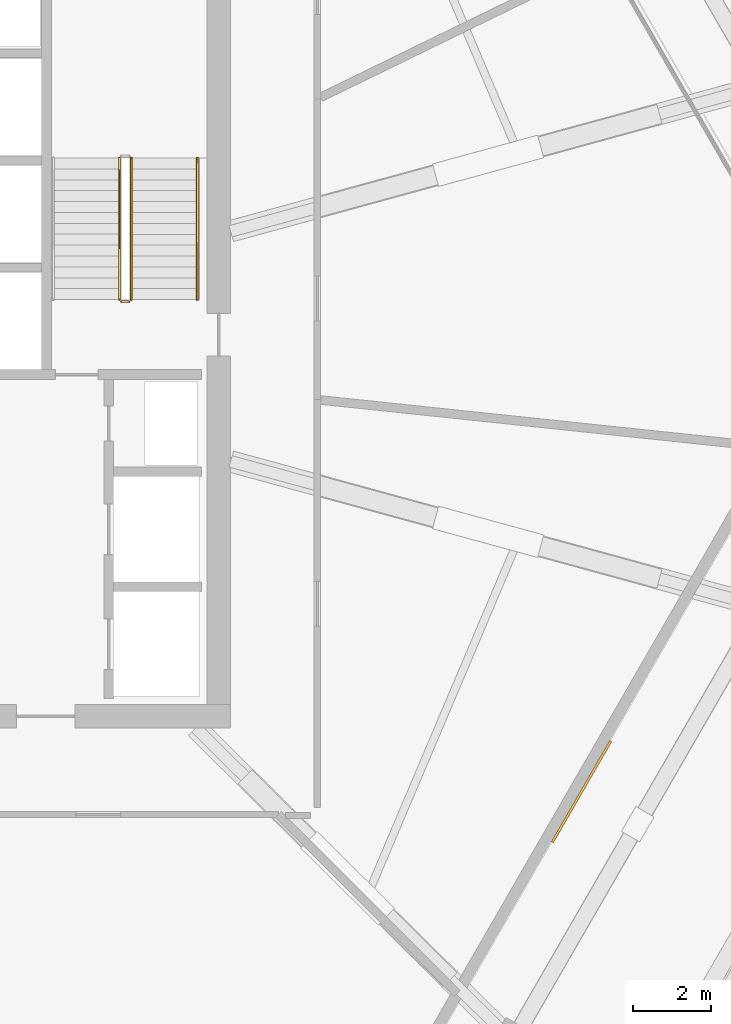
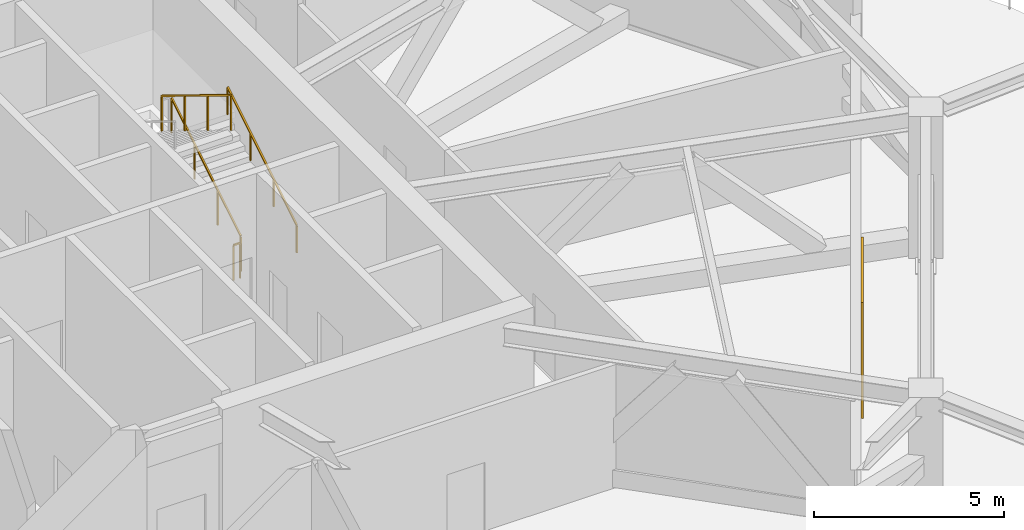
# One storey, part 18 of 20: 4 railings, 1 shading device.
"""IFC4 building model written with IfcOpenShell, lengths in metres."""

from ifc_helpers import new_model, si_unit, direction, frame, origin, origin_2d, place, context, subcontext, project, spatial, rectangle, extrude, material, layer, layer_set, type_object, element, save


model = new_model("IFC4")

# Units and contexts
model_context = context("Model", 3, precision=1e-05, world=origin(), true_north=direction((0.0, 1.0)))
body_context = subcontext(model_context, "Body", "Model", "MODEL_VIEW")
ifc_project = project(units=[si_unit("LENGTHUNIT", "METRE"), si_unit("AREAUNIT", "SQUARE_METRE"), si_unit("VOLUMEUNIT", "CUBIC_METRE"), si_unit("PLANEANGLEUNIT", "RADIAN"), si_unit("MASSUNIT", "GRAM", prefix="KILO")], contexts=[model_context])

# Site, building, storey
site_placement = place(None, origin())
site = spatial("IfcSite", under=ifc_project, at=site_placement, CompositionType="ELEMENT")
building_placement = place(site_placement, origin())
building = spatial("IfcBuilding", under=site, at=building_placement, Name="Zuhravey Tower", CompositionType="ELEMENT")
storey_placement = place(building_placement, frame((0.0, 0.0, 226.39990234375)))
storey = spatial("IfcBuildingStorey", under=building, at=storey_placement, Name="L57", CompositionType="ELEMENT", Elevation=226.39990234375)

# Shading device
ifc_material_1 = material(Name="Bronze-anodised perforated aluminium", Category="aluminium")
ifc_layer = layer(ifc_material_1, 0.06005859375)
ifc_layer_set = layer_set([ifc_layer], Name="Bronze-anodised perforated aluminium")
shading_device_type = type_object("IfcShadingDeviceType", Name="Girih Mashrabiya Solar Screen", PredefinedType="USERDEFINED", material=ifc_layer_set)
shading_device_placement = place(storey_placement, frame((55.81787109375, 20.55810546875, 0.10009765625), z_axis=(0.0, 0.0, 1.0), x_axis=(-0.5, -0.866025403784, 0.0)))
element("IfcShadingDevice", 1, at=shading_device_placement, inside=storey, type_object=shading_device_type, Name="L57 Face 6 Girih Solar Screen SCR1", ObjectType="SCREEN", PredefinedType="USERDEFINED", context=body_context, shape_type="SweptSolid", body=[
    extrude(rectangle(XDim=3.0, YDim=0.06005859375, at=origin_2d()), origin(), (0.0, 0.0, 1.0), 3.72998046875),
])

# Railings
ifc_material_2 = material(Name="Brushed stainless steel", Category="steel")
railing_type_1 = type_object("IfcRailingType", Name="Stair Wall Handrail 900", PredefinedType="HANDRAIL", material=ifc_material_2)
railing_1_placement = place(storey_placement, frame((45.949951171875, 33.199951171875, 0.171630859375)))
element("IfcRailing", 2, at=railing_1_placement, inside=storey, type_object=railing_type_1, Name="L57 ST2 stair handrail 1", PredefinedType="HANDRAIL", context=body_context, shape_type="SweptSolid", body=[
    extrude(rectangle(XDim=0.048095703125, YDim=0.048095703125, at=origin_2d()), frame((0.0, 0.001708984375, 0.876953125), z_axis=(0.0, 0.852865859571, 0.52213008492), x_axis=(-1.0, 0.0, 0.0)), (0.0, 0.0, 1.0), 4.26416015625),
    extrude(rectangle(XDim=0.0419921875, YDim=0.0419921875, at=origin_2d()), origin(), (0.0, 0.0, 1.0), 0.849853515625),
    extrude(rectangle(XDim=0.0419921875, YDim=0.0419921875, at=origin_2d()), frame((0.0, 1.21337890625, 0.742919921875)), (0.0, 0.0, 1.0), 0.849853515625),
    extrude(rectangle(XDim=0.0419921875, YDim=0.0419921875, at=origin_2d()), frame((0.0, 2.4267578125, 1.485595703125)), (0.0, 0.0, 1.0), 0.849853515625),
    extrude(rectangle(XDim=0.0419921875, YDim=0.0419921875, at=origin_2d()), frame((0.0, 3.64013671875, 2.228515625)), (0.0, 0.0, 1.0), 0.849853515625),
])
ifc_material_3 = material(Name="Painted tubular steel", Category="steel")
railing_type_2 = type_object("IfcRailingType", Name="Stair Well Guardrail 1150", PredefinedType="GUARDRAIL", material=ifc_material_3)
railing_2_placement = place(storey_placement, frame((44.25, 33.199951171875, 0.171630859375)))
element("IfcRailing", 3, at=railing_2_placement, inside=storey, type_object=railing_type_2, Name="L57 ST2 stair guard 1", PredefinedType="GUARDRAIL", context=body_context, shape_type="SweptSolid", body=[
    extrude(rectangle(XDim=0.048095703125, YDim=0.048095703125, at=origin_2d()), frame((0.0, 0.001708984375, 1.126953125), z_axis=(0.0, 0.852865859571, 0.52213008492), x_axis=(-1.0, 0.0, 0.0)), (0.0, 0.0, 1.0), 4.26416015625),
    extrude(rectangle(XDim=0.0419921875, YDim=0.0419921875, at=origin_2d()), origin(), (0.0, 0.0, 1.0), 1.099853515625),
    extrude(rectangle(XDim=0.0419921875, YDim=0.0419921875, at=origin_2d()), frame((0.0, 1.21337890625, 0.742919921875)), (0.0, 0.0, 1.0), 1.099853515625),
    extrude(rectangle(XDim=0.0419921875, YDim=0.0419921875, at=origin_2d()), frame((0.0, 2.4267578125, 1.485595703125)), (0.0, 0.0, 1.0), 1.099853515625),
    extrude(rectangle(XDim=0.0419921875, YDim=0.0419921875, at=origin_2d()), frame((0.0, 3.64013671875, 2.228515625)), (0.0, 0.0, 1.0), 1.099853515625),
])
railing_3_placement = place(storey_placement, frame((43.949951171875, 36.840087890625, 2.571533203125)))
element("IfcRailing", 4, at=railing_3_placement, inside=storey, type_object=railing_type_2, Name="L57 ST2 stair guard 3", PredefinedType="GUARDRAIL", context=body_context, shape_type="SweptSolid", body=[
    extrude(rectangle(XDim=0.048095703125, YDim=0.048095703125, at=origin_2d()), frame((0.0, -0.001708984375, 1.126953125), z_axis=(0.0, -0.852865859571, 0.52213008492), x_axis=(1.0, 0.0, 0.0)), (0.0, 0.0, 1.0), 4.26416015625),
    extrude(rectangle(XDim=0.0419921875, YDim=0.0419921875, at=origin_2d()), origin(), (0.0, 0.0, 1.0), 1.099853515625),
    extrude(rectangle(XDim=0.0419921875, YDim=0.0419921875, at=origin_2d()), frame((0.0, -1.21337890625, 0.742919921875)), (0.0, 0.0, 1.0), 1.099853515625),
    extrude(rectangle(XDim=0.0419921875, YDim=0.0419921875, at=origin_2d()), frame((0.0, -2.4267578125, 1.485595703125)), (0.0, 0.0, 1.0), 1.099853515625),
    extrude(rectangle(XDim=0.0419921875, YDim=0.0419921875, at=origin_2d()), frame((0.0, -3.64013671875, 2.228515625)), (0.0, 0.0, 1.0), 1.099853515625),
])
railing_4_placement = place(storey_placement, frame((44.199951171875, 33.14990234375, 0.0)))
element("IfcRailing", 5, at=railing_4_placement, inside=storey, type_object=railing_type_2, Name="L57 ST2 stair guard 4", PredefinedType="GUARDRAIL", context=body_context, shape_type="SweptSolid", body=[
    extrude(rectangle(XDim=0.048095703125, YDim=0.048095703125, at=origin_2d()), frame((-0.001953125, 0.0, 1.1259765625), z_axis=(-1.0, 0.0, 0.0), x_axis=(0.0, -1.0, 0.0)), (0.0, 0.0, 1.0), 0.196044921875),
    extrude(rectangle(XDim=0.0419921875, YDim=0.0419921875, at=origin_2d()), origin(), (0.0, 0.0, 1.0), 1.099853515625),
    extrude(rectangle(XDim=0.0419921875, YDim=0.0419921875, at=origin_2d()), frame((-0.199951171875, 0.0, 0.0)), (0.0, 0.0, 1.0), 1.099853515625),
])

save(model, "model.ifc")
